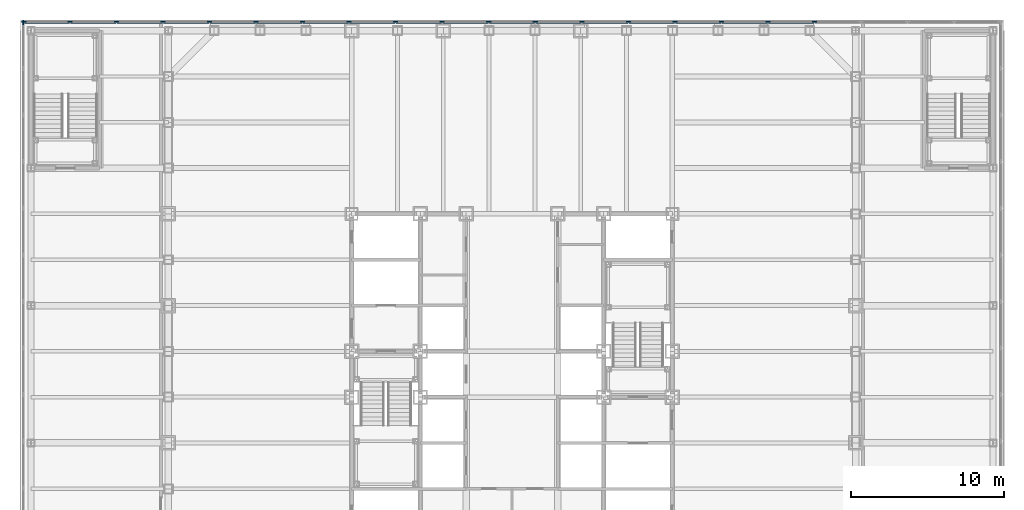
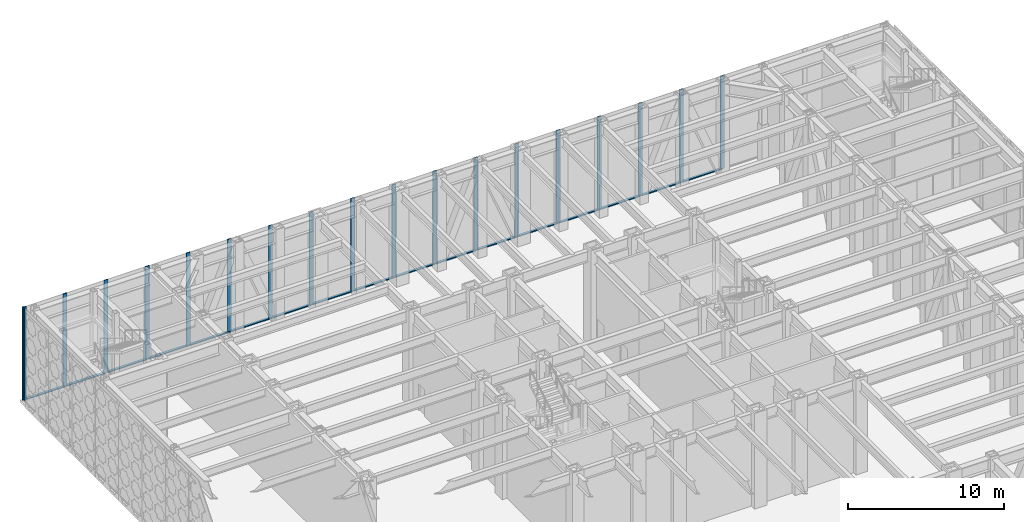
# One storey, part 11 of 34: 36 members, 2 elements without a shape of their own.
"""IFC4 building model written with IfcOpenShell, lengths in metres."""

import ifcopenshell
import ifcopenshell.guid

model = None  # the IFC model being written
_history = None  # IfcOwnerHistory: only IFC2X3 demands one
_inside = {}  # id of a spatial element -> (the spatial element, [elements in it])
_under = {}  # id of a project, library or spatial element -> (it, [spatial elements below it])
_declared = {}  # id of a project -> (the project, [libraries it declares])
_typed = {}  # id of a type object -> (the type object, [elements of that type])
_made_of = {}  # id of a material, layer set ... -> (it, [elements and type objects made of it])


def new_model(schema):
    """Start an empty IFC model of exactly this schema.

    Asked for "IFC4X3", IfcOpenShell would pick the latest addendum, in which some entities
    have other attributes; the version numbers below select the first issue.
    IFC2X3 requires an IfcOwnerHistory on every rooted entity: one is made here for all.
    """
    global model, _history
    if schema == "IFC4X3":
        model = ifcopenshell.file(schema_version=(4, 3, 0, 0))
    else:
        model = ifcopenshell.file(schema=schema)
    _inside.clear()
    _under.clear()
    _declared.clear()
    _typed.clear()
    _made_of.clear()
    _history = None
    if model.schema == "IFC2X3":
        org = make("IfcOrganization", Name="unknown")
        user = make(
            "IfcPersonAndOrganization",
            ThePerson=make("IfcPerson", FamilyName="unknown"),
            TheOrganization=org,
        )
        app = make(
            "IfcApplication",
            ApplicationDeveloper=org,
            Version="unknown",
            ApplicationFullName="unknown",
            ApplicationIdentifier="unknown",
        )
        _history = make(
            "IfcOwnerHistory",
            OwningUser=user,
            OwningApplication=app,
            ChangeAction="ADDED",
            CreationDate=0,
        )
    return model


def make(cls, **values):
    """One entity of the class cls with the attributes given. An attribute that is None is left unset."""
    return model.create_entity(
        cls, **{name: value for name, value in values.items() if value is not None}
    )


def rooted(cls, **values):
    """An entity with a GlobalId (a new one), such as an element, a storey or a relation."""
    return make(cls, GlobalId=ifcopenshell.guid.new(), OwnerHistory=_history, **values)


def si_unit(unit_type, name, prefix=None):
    """IfcSIUnit, for example si_unit("LENGTHUNIT", "METRE", prefix="MILLI")."""
    return make("IfcSIUnit", UnitType=unit_type, Prefix=prefix, Name=name)


def assignment(units):
    """IfcUnitAssignment: the units of a project."""
    return None if units is None else make("IfcUnitAssignment", Units=units)


def point(xyz):
    """IfcCartesianPoint."""
    return None if xyz is None else make("IfcCartesianPoint", Coordinates=xyz)


def direction(xyz):
    """IfcDirection."""
    return None if xyz is None else make("IfcDirection", DirectionRatios=xyz)


def frame(location, z_axis=None, x_axis=None):
    """IfcAxis2Placement3D, a coordinate frame: its origin and axes. An axis left out is left unset."""
    return make(
        "IfcAxis2Placement3D",
        Location=point(location),
        Axis=direction(z_axis),
        RefDirection=direction(x_axis),
    )


def frame_2d(location, x_axis=None):
    """IfcAxis2Placement2D, a coordinate frame in the plane: its origin and x axis."""
    return make(
        "IfcAxis2Placement2D", Location=point(location), RefDirection=direction(x_axis)
    )


def origin():
    """The frame at (0, 0, 0) with its axes left unset."""
    return frame((0.0, 0.0, 0.0))


def origin_2d():
    """The frame at (0, 0) in the plane with its x axis left unset."""
    return frame_2d((0.0, 0.0))


def place(relative_to, where):
    """IfcLocalPlacement: puts the frame where relative to a parent placement (None: the world)."""
    return make(
        "IfcLocalPlacement", PlacementRelTo=relative_to, RelativePlacement=where
    )


def context(
    kind, dimensions, precision=None, world=None, true_north=None, identifier=None
):
    """IfcGeometricRepresentationContext, for example the 3D "Model" context."""
    return make(
        "IfcGeometricRepresentationContext",
        ContextIdentifier=identifier,
        ContextType=kind,
        CoordinateSpaceDimension=dimensions,
        Precision=precision,
        WorldCoordinateSystem=world,
        TrueNorth=true_north,
    )


def subcontext(parent, identifier, kind, view, scale=None):
    """IfcGeometricRepresentationSubContext, for example "Body" below "Model"."""
    return make(
        "IfcGeometricRepresentationSubContext",
        ContextIdentifier=identifier,
        ContextType=kind,
        ParentContext=parent,
        TargetScale=scale,
        TargetView=view,
    )


def project(units=None, contexts=None):
    """IfcProject with its units and contexts."""
    return rooted(
        "IfcProject",
        Name="project",
        RepresentationContexts=contexts,
        UnitsInContext=assignment(units),
    )


def spatial(cls, under=None, at=None, **own):
    """A site, building, storey or space (cls), placed at a placement, below another one or the project."""
    s = rooted(cls, ObjectPlacement=at, **own)
    if under is not None:
        _under.setdefault(under.id(), (under, []))[1].append(s)
    return s


def profile(cls, at=None, kind="AREA", **sizes):
    """A parametric profile (cls). Its sizes go by their IFC names, for example OverallWidth=200.0."""
    return make(cls, ProfileType=kind, Position=at, **sizes)


def rectangle(**sizes):
    """IfcRectangleProfileDef."""
    return profile("IfcRectangleProfileDef", **sizes)


def extrude(swept, where, along, depth):
    """IfcExtrudedAreaSolid: the profile swept, set in the frame where, extruded along a direction by depth."""
    return make(
        "IfcExtrudedAreaSolid",
        SweptArea=swept,
        Position=where,
        ExtrudedDirection=direction(along),
        Depth=depth,
    )


def shape(context_of_items, identifier, shape_type, items):
    """IfcShapeRepresentation: the items that make up one representation, for example the "Body"."""
    return make(
        "IfcShapeRepresentation",
        ContextOfItems=context_of_items,
        RepresentationIdentifier=identifier,
        RepresentationType=shape_type,
        Items=items,
    )


def material(Name=None, Category=None):
    """IfcMaterial."""
    return make("IfcMaterial", Name=Name, Category=Category)


def layer(
    of_material, thickness, ventilated=None, Name=None, Category=None, Priority=None
):
    """IfcMaterialLayer: one layer of a wall or slab, of a material (None: an air gap)."""
    return make(
        "IfcMaterialLayer",
        Material=of_material,
        LayerThickness=thickness,
        IsVentilated=ventilated,
        Name=Name,
        Category=Category,
        Priority=Priority,
    )


def layer_set(layers, Name=None):
    """IfcMaterialLayerSet."""
    return make("IfcMaterialLayerSet", MaterialLayers=layers, LayerSetName=Name)


def material_profile(
    of_material, cross_section, Name=None, Category=None, Priority=None
):
    """IfcMaterialProfile: a cross section and its material."""
    return make(
        "IfcMaterialProfile",
        Name=Name,
        Material=of_material,
        Profile=cross_section,
        Priority=Priority,
        Category=Category,
    )


def profile_set(profiles, Name=None, composite=None):
    """IfcMaterialProfileSet."""
    return make(
        "IfcMaterialProfileSet",
        Name=Name,
        MaterialProfiles=profiles,
        CompositeProfile=composite,
    )


def made_of(thing, what):
    """Note that an element or type object is made of a material, layer set ...; save() writes the relation."""
    if what is not None:
        _made_of.setdefault(what.id(), (what, []))[1].append(thing)
    return thing


def type_object(cls, material=None, **own):
    """A type object (cls), such as IfcWallType, which elements share."""
    return made_of(rooted(cls, **own), material)


def element(
    cls,
    number,
    at=None,
    inside=None,
    cuts=None,
    type_object=None,
    material=None,
    context=None,
    identifier="Body",
    shape_type=None,
    held_by="IfcProductDefinitionShape",
    body=None,
    shapes=None,
    **own,
):
    """One element of the class cls, such as IfcWall. Its Tag is "e" and its number.

    at: its placement. inside: the storey or other place that contains it. cuts: it is an
    opening in that element (IfcRelVoidsElement). A single representation is given by context,
    identifier, shape_type and body (its items); several are given by shapes. held_by: the class
    of the entity that holds the representations. save() writes the other relations.
    """
    e = rooted(cls, Tag="e%d" % number, ObjectPlacement=at, **own)
    if body is not None:
        shapes = [shape(context, identifier, shape_type, body)]
    if shapes is not None:
        e.Representation = make(held_by, Representations=shapes)
    if inside is not None:
        _inside.setdefault(inside.id(), (inside, []))[1].append(e)
    if cuts is not None:
        rooted(
            "IfcRelVoidsElement", RelatingBuildingElement=cuts, RelatedOpeningElement=e
        )
    if type_object is not None:
        _typed.setdefault(type_object.id(), (type_object, []))[1].append(e)
    return made_of(e, material)


def aggregate(whole, parts):
    """IfcRelAggregates: a whole, such as a stair, and the parts it consists of."""
    return rooted("IfcRelAggregates", RelatingObject=whole, RelatedObjects=parts)


def save(model, path):
    """Write the relations noted so far, then the file.

    IfcRelAggregates (storeys below a building ...), IfcRelContainedInSpatialStructure (elements
    in a storey), IfcRelDefinesByType, IfcRelAssociatesMaterial and IfcRelDeclares: one each for
    every whole, place, type object, material and project.
    """
    for whole, parts in _under.values():
        aggregate(whole, parts)
    for where, things in _inside.values():
        rooted(
            "IfcRelContainedInSpatialStructure",
            RelatedElements=things,
            RelatingStructure=where,
        )
    for kind, things in _typed.values():
        rooted("IfcRelDefinesByType", RelatedObjects=things, RelatingType=kind)
    for what, things in _made_of.values():
        rooted("IfcRelAssociatesMaterial", RelatedObjects=things, RelatingMaterial=what)
    for by, libraries in _declared.values():
        rooted("IfcRelDeclares", RelatingContext=by, RelatedDefinitions=libraries)
    model.write(path)


model = new_model("IFC4")

# Units and contexts
model_context = context("Model", 3, precision=1e-05, world=origin(), true_north=direction((0.0, 1.0)))
body_context = subcontext(model_context, "Body", "Model", "MODEL_VIEW")
ifc_project = project(units=[si_unit("LENGTHUNIT", "METRE"), si_unit("AREAUNIT", "SQUARE_METRE"), si_unit("VOLUMEUNIT", "CUBIC_METRE"), si_unit("PLANEANGLEUNIT", "RADIAN"), si_unit("MASSUNIT", "GRAM", prefix="KILO")], contexts=[model_context])

# Site, building, storey
site_placement = place(None, origin())
site = spatial("IfcSite", under=ifc_project, at=site_placement, CompositionType="ELEMENT")
building_placement = place(site_placement, origin())
building = spatial("IfcBuilding", under=site, at=building_placement, Name="Chuquiago Exchange Tower", CompositionType="ELEMENT")
storey_placement = place(building_placement, frame((0.0, 0.0, 6.0)))
storey = spatial("IfcBuildingStorey", under=building, at=storey_placement, Name="L01", CompositionType="ELEMENT", Elevation=6.0)

# Curtain wall, members
ifc_material_1 = material(Name="Aluminium curtain wall system", Category="aluminium")
ifc_layer = layer(ifc_material_1, 0.300048828125)
ifc_layer_set = layer_set([ifc_layer], Name="CW4 podium curtain wall")
curtain_wall_type = type_object("IfcCurtainWallType", Name="CW4 podium curtain wall", PredefinedType="NOTDEFINED", material=ifc_layer_set)
curtain_wall_1_placement = place(storey_placement, origin())
curtain_wall_1 = element("IfcCurtainWall", 1, at=curtain_wall_1_placement, inside=storey, type_object=curtain_wall_type, Name="CW4 curtain wall L01", PredefinedType="NOTDEFINED")
ifc_material_2 = material(Name="Aluminium mullion, pale anodised", Category="aluminium")
ifc_material_profile_1 = material_profile(ifc_material_2, rectangle(XDim=0.074951171875, YDim=0.300048828125, at=origin_2d()), Name="AL 75x300")
ifc_profile_set_1 = profile_set([ifc_material_profile_1], Name="Aluminium mullion, pale anodised")
member_type_1 = type_object("IfcMemberType", Name="CW4-M mullion 75x300", PredefinedType="MULLION", material=ifc_profile_set_1)
member_1_placement = place(storey_placement, frame((42.3095703125, 45.574951171875, 0.0), z_axis=(0.0, 0.0, 1.0), x_axis=(0.0, -1.0, 0.0)))
member_1 = element("IfcMember", 2, at=member_1_placement, type_object=member_type_1, Name="CW4 mullion 5", PredefinedType="MULLION", context=body_context, shape_type="SweptSolid", body=[
    extrude(rectangle(XDim=0.074951171875, YDim=0.300048828125, at=origin_2d()), origin(), (0.0, 0.0, 1.0), 7.300048828125),
])
member_2_placement = place(storey_placement, frame((39.261962890625, 45.574951171875, 0.0), z_axis=(0.0, 0.0, 1.0), x_axis=(0.0, -1.0, 0.0)))
member_2 = element("IfcMember", 3, at=member_2_placement, type_object=member_type_1, Name="CW4 mullion 6", PredefinedType="MULLION", context=body_context, shape_type="SweptSolid", body=[
    extrude(rectangle(XDim=0.074951171875, YDim=0.300048828125, at=origin_2d()), origin(), (0.0, 0.0, 1.0), 7.300048828125),
])
member_3_placement = place(storey_placement, frame((36.21435546875, 45.574951171875, 0.0), z_axis=(0.0, 0.0, 1.0), x_axis=(0.0, -1.0, 0.0)))
member_3 = element("IfcMember", 4, at=member_3_placement, type_object=member_type_1, Name="CW4 mullion 7", PredefinedType="MULLION", context=body_context, shape_type="SweptSolid", body=[
    extrude(rectangle(XDim=0.074951171875, YDim=0.300048828125, at=origin_2d()), origin(), (0.0, 0.0, 1.0), 7.300048828125),
])
member_4_placement = place(storey_placement, frame((33.166748046875, 45.574951171875, 0.0), z_axis=(0.0, 0.0, 1.0), x_axis=(0.0, -1.0, 0.0)))
member_4 = element("IfcMember", 5, at=member_4_placement, type_object=member_type_1, Name="CW4 mullion 8", PredefinedType="MULLION", context=body_context, shape_type="SweptSolid", body=[
    extrude(rectangle(XDim=0.074951171875, YDim=0.300048828125, at=origin_2d()), origin(), (0.0, 0.0, 1.0), 7.300048828125),
])
member_5_placement = place(storey_placement, frame((30.119140625, 45.574951171875, 0.0), z_axis=(0.0, 0.0, 1.0), x_axis=(0.0, -1.0, 0.0)))
member_5 = element("IfcMember", 6, at=member_5_placement, type_object=member_type_1, Name="CW4 mullion 9", PredefinedType="MULLION", context=body_context, shape_type="SweptSolid", body=[
    extrude(rectangle(XDim=0.074951171875, YDim=0.300048828125, at=origin_2d()), origin(), (0.0, 0.0, 1.0), 7.300048828125),
])
member_6_placement = place(storey_placement, frame((27.071533203125, 45.574951171875, 0.0), z_axis=(0.0, 0.0, 1.0), x_axis=(0.0, -1.0, 0.0)))
member_6 = element("IfcMember", 7, at=member_6_placement, type_object=member_type_1, Name="CW4 mullion 10", PredefinedType="MULLION", context=body_context, shape_type="SweptSolid", body=[
    extrude(rectangle(XDim=0.074951171875, YDim=0.300048828125, at=origin_2d()), origin(), (0.0, 0.0, 1.0), 7.300048828125),
])
member_7_placement = place(storey_placement, frame((24.02392578125, 45.574951171875, 0.0), z_axis=(0.0, 0.0, 1.0), x_axis=(0.0, -1.0, 0.0)))
member_7 = element("IfcMember", 8, at=member_7_placement, type_object=member_type_1, Name="CW4 mullion 11", PredefinedType="MULLION", context=body_context, shape_type="SweptSolid", body=[
    extrude(rectangle(XDim=0.074951171875, YDim=0.300048828125, at=origin_2d()), origin(), (0.0, 0.0, 1.0), 7.300048828125),
])
member_8_placement = place(storey_placement, frame((20.97607421875, 45.574951171875, 0.0), z_axis=(0.0, 0.0, 1.0), x_axis=(0.0, -1.0, 0.0)))
member_8 = element("IfcMember", 9, at=member_8_placement, type_object=member_type_1, Name="CW4 mullion 12", PredefinedType="MULLION", context=body_context, shape_type="SweptSolid", body=[
    extrude(rectangle(XDim=0.074951171875, YDim=0.300048828125, at=origin_2d()), origin(), (0.0, 0.0, 1.0), 7.300048828125),
])
member_9_placement = place(storey_placement, frame((17.928466796875, 45.574951171875, 0.0), z_axis=(0.0, 0.0, 1.0), x_axis=(0.0, -1.0, 0.0)))
member_9 = element("IfcMember", 10, at=member_9_placement, type_object=member_type_1, Name="CW4 mullion 13", PredefinedType="MULLION", context=body_context, shape_type="SweptSolid", body=[
    extrude(rectangle(XDim=0.074951171875, YDim=0.300048828125, at=origin_2d()), origin(), (0.0, 0.0, 1.0), 7.300048828125),
])
member_10_placement = place(storey_placement, frame((14.880859375, 45.574951171875, 0.0), z_axis=(0.0, 0.0, 1.0), x_axis=(0.0, -1.0, 0.0)))
member_10 = element("IfcMember", 11, at=member_10_placement, type_object=member_type_1, Name="CW4 mullion 14", PredefinedType="MULLION", context=body_context, shape_type="SweptSolid", body=[
    extrude(rectangle(XDim=0.074951171875, YDim=0.300048828125, at=origin_2d()), origin(), (0.0, 0.0, 1.0), 7.300048828125),
])
member_11_placement = place(storey_placement, frame((11.833251953125, 45.574951171875, 0.0), z_axis=(0.0, 0.0, 1.0), x_axis=(0.0, -1.0, 0.0)))
member_11 = element("IfcMember", 12, at=member_11_placement, type_object=member_type_1, Name="CW4 mullion 15", PredefinedType="MULLION", context=body_context, shape_type="SweptSolid", body=[
    extrude(rectangle(XDim=0.074951171875, YDim=0.300048828125, at=origin_2d()), origin(), (0.0, 0.0, 1.0), 7.300048828125),
])
member_12_placement = place(storey_placement, frame((8.78564453125, 45.574951171875, 0.0), z_axis=(0.0, 0.0, 1.0), x_axis=(0.0, -1.0, 0.0)))
member_12 = element("IfcMember", 13, at=member_12_placement, type_object=member_type_1, Name="CW4 mullion 16", PredefinedType="MULLION", context=body_context, shape_type="SweptSolid", body=[
    extrude(rectangle(XDim=0.074951171875, YDim=0.300048828125, at=origin_2d()), origin(), (0.0, 0.0, 1.0), 7.300048828125),
])
member_13_placement = place(storey_placement, frame((5.738037109375, 45.574951171875, 0.0), z_axis=(0.0, 0.0, 1.0), x_axis=(0.0, -1.0, 0.0)))
member_13 = element("IfcMember", 14, at=member_13_placement, type_object=member_type_1, Name="CW4 mullion 17", PredefinedType="MULLION", context=body_context, shape_type="SweptSolid", body=[
    extrude(rectangle(XDim=0.074951171875, YDim=0.300048828125, at=origin_2d()), origin(), (0.0, 0.0, 1.0), 7.300048828125),
])
member_14_placement = place(storey_placement, frame((2.6904296875, 45.574951171875, 0.0), z_axis=(0.0, 0.0, 1.0), x_axis=(0.0, -1.0, 0.0)))
member_14 = element("IfcMember", 15, at=member_14_placement, type_object=member_type_1, Name="CW4 mullion 18", PredefinedType="MULLION", context=body_context, shape_type="SweptSolid", body=[
    extrude(rectangle(XDim=0.074951171875, YDim=0.300048828125, at=origin_2d()), origin(), (0.0, 0.0, 1.0), 7.300048828125),
])
member_15_placement = place(storey_placement, frame((-0.357177734375, 45.574951171875, 0.0), z_axis=(0.0, 0.0, 1.0), x_axis=(0.0, -1.0, 0.0)))
member_15 = element("IfcMember", 16, at=member_15_placement, type_object=member_type_1, Name="CW4 mullion 19", PredefinedType="MULLION", context=body_context, shape_type="SweptSolid", body=[
    extrude(rectangle(XDim=0.074951171875, YDim=0.300048828125, at=origin_2d()), origin(), (0.0, 0.0, 1.0), 7.300048828125),
])
member_16_placement = place(storey_placement, frame((-3.40478515625, 45.574951171875, 0.0), z_axis=(0.0, 0.0, 1.0), x_axis=(0.0, -1.0, 0.0)))
member_16 = element("IfcMember", 17, at=member_16_placement, type_object=member_type_1, Name="CW4 mullion 20", PredefinedType="MULLION", context=body_context, shape_type="SweptSolid", body=[
    extrude(rectangle(XDim=0.074951171875, YDim=0.300048828125, at=origin_2d()), origin(), (0.0, 0.0, 1.0), 7.300048828125),
])
member_17_placement = place(storey_placement, frame((-6.452392578125, 45.574951171875, 0.0), z_axis=(0.0, 0.0, 1.0), x_axis=(0.0, -1.0, 0.0)))
member_17 = element("IfcMember", 18, at=member_17_placement, type_object=member_type_1, Name="CW4 mullion 21", PredefinedType="MULLION", context=body_context, shape_type="SweptSolid", body=[
    extrude(rectangle(XDim=0.074951171875, YDim=0.300048828125, at=origin_2d()), origin(), (0.0, 0.0, 1.0), 7.300048828125),
])
member_18_placement = place(storey_placement, frame((-9.46240234375, 45.574951171875, 0.0), z_axis=(0.0, 0.0, 1.0), x_axis=(0.0, -1.0, 0.0)))
member_18 = element("IfcMember", 19, at=member_18_placement, type_object=member_type_1, Name="CW4 mullion 22", PredefinedType="MULLION", context=body_context, shape_type="SweptSolid", body=[
    extrude(rectangle(XDim=0.074951171875, YDim=0.300048828125, at=origin_2d()), origin(), (0.0, 0.0, 1.0), 7.300048828125),
])

# Curtain wall, member
curtain_wall_2_placement = place(storey_placement, origin())
curtain_wall_2 = element("IfcCurtainWall", 20, at=curtain_wall_2_placement, inside=storey, type_object=curtain_wall_type, Name="CW4 curtain wall L01", PredefinedType="NOTDEFINED")
member_19_placement = place(storey_placement, frame((-9.5, 45.53759765625, 0.0), z_axis=(0.0, 0.0, 1.0), x_axis=(1.0, 0.0, 0.0)))
member_19 = element("IfcMember", 21, at=member_19_placement, type_object=member_type_1, Name="CW4 mullion 1", PredefinedType="MULLION", context=body_context, shape_type="SweptSolid", body=[
    extrude(rectangle(XDim=0.074951171875, YDim=0.300048828125, at=origin_2d()), origin(), (0.0, 0.0, 1.0), 7.300048828125),
])
aggregate(curtain_wall_2, [member_19])

# Member
ifc_material_3 = material(Name="Aluminium transom, pale anodised", Category="aluminium")
ifc_material_profile_2 = material_profile(ifc_material_3, rectangle(XDim=0.179931640625, YDim=0.074951171875, at=origin_2d()), Name="AL 180x75")
ifc_profile_set_2 = profile_set([ifc_material_profile_2], Name="Aluminium transom, pale anodised")
member_type_2 = type_object("IfcMemberType", Name="CW4-T transom 75x180", PredefinedType="MULLION", material=ifc_profile_set_2)
member_20_placement = place(storey_placement, frame((42.27197265625, 45.574951171875, 0.03759765625), z_axis=(-1.0, 0.0, 0.0), x_axis=(0.0, -1.0, 0.0)))
member_20 = element("IfcMember", 22, at=member_20_placement, type_object=member_type_2, Name="CW4 transom 5.1", PredefinedType="MULLION", context=body_context, shape_type="SweptSolid", body=[
    extrude(rectangle(XDim=0.179931640625, YDim=0.074951171875, at=origin_2d()), origin(), (0.0, 0.0, 1.0), 2.97265625),
])

member_21_placement = place(storey_placement, frame((39.224365234375, 45.574951171875, 0.03759765625), z_axis=(-1.0, 0.0, 0.0), x_axis=(0.0, -1.0, 0.0)))
member_21 = element("IfcMember", 23, at=member_21_placement, type_object=member_type_2, Name="CW4 transom 6.1", PredefinedType="MULLION", context=body_context, shape_type="SweptSolid", body=[
    extrude(rectangle(XDim=0.179931640625, YDim=0.074951171875, at=origin_2d()), origin(), (0.0, 0.0, 1.0), 2.97265625),
])

member_22_placement = place(storey_placement, frame((36.1767578125, 45.574951171875, 0.03759765625), z_axis=(-1.0, 0.0, 0.0), x_axis=(0.0, -1.0, 0.0)))
member_22 = element("IfcMember", 24, at=member_22_placement, type_object=member_type_2, Name="CW4 transom 7.1", PredefinedType="MULLION", context=body_context, shape_type="SweptSolid", body=[
    extrude(rectangle(XDim=0.179931640625, YDim=0.074951171875, at=origin_2d()), origin(), (0.0, 0.0, 1.0), 2.97265625),
])

member_23_placement = place(storey_placement, frame((33.129150390625, 45.574951171875, 0.03759765625), z_axis=(-1.0, 0.0, 0.0), x_axis=(0.0, -1.0, 0.0)))
member_23 = element("IfcMember", 25, at=member_23_placement, type_object=member_type_2, Name="CW4 transom 8.1", PredefinedType="MULLION", context=body_context, shape_type="SweptSolid", body=[
    extrude(rectangle(XDim=0.179931640625, YDim=0.074951171875, at=origin_2d()), origin(), (0.0, 0.0, 1.0), 2.97265625),
])

member_24_placement = place(storey_placement, frame((30.08154296875, 45.574951171875, 0.03759765625), z_axis=(-1.0, 0.0, 0.0), x_axis=(0.0, -1.0, 0.0)))
member_24 = element("IfcMember", 26, at=member_24_placement, type_object=member_type_2, Name="CW4 transom 9.1", PredefinedType="MULLION", context=body_context, shape_type="SweptSolid", body=[
    extrude(rectangle(XDim=0.179931640625, YDim=0.074951171875, at=origin_2d()), origin(), (0.0, 0.0, 1.0), 2.97265625),
])

member_25_placement = place(storey_placement, frame((27.033935546875, 45.574951171875, 0.03759765625), z_axis=(-1.0, 0.0, 0.0), x_axis=(0.0, -1.0, 0.0)))
member_25 = element("IfcMember", 27, at=member_25_placement, type_object=member_type_2, Name="CW4 transom 10.1", PredefinedType="MULLION", context=body_context, shape_type="SweptSolid", body=[
    extrude(rectangle(XDim=0.179931640625, YDim=0.074951171875, at=origin_2d()), origin(), (0.0, 0.0, 1.0), 2.97265625),
])

member_26_placement = place(storey_placement, frame((23.986328125, 45.574951171875, 0.03759765625), z_axis=(-1.0, 0.0, 0.0), x_axis=(0.0, -1.0, 0.0)))
member_26 = element("IfcMember", 28, at=member_26_placement, type_object=member_type_2, Name="CW4 transom 11.1", PredefinedType="MULLION", context=body_context, shape_type="SweptSolid", body=[
    extrude(rectangle(XDim=0.179931640625, YDim=0.074951171875, at=origin_2d()), origin(), (0.0, 0.0, 1.0), 2.97265625),
])

member_27_placement = place(storey_placement, frame((20.938720703125, 45.574951171875, 0.03759765625), z_axis=(-1.0, 0.0, 0.0), x_axis=(0.0, -1.0, 0.0)))
member_27 = element("IfcMember", 29, at=member_27_placement, type_object=member_type_2, Name="CW4 transom 12.1", PredefinedType="MULLION", context=body_context, shape_type="SweptSolid", body=[
    extrude(rectangle(XDim=0.179931640625, YDim=0.074951171875, at=origin_2d()), origin(), (0.0, 0.0, 1.0), 2.97265625),
])

member_28_placement = place(storey_placement, frame((17.89111328125, 45.574951171875, 0.03759765625), z_axis=(-1.0, 0.0, 0.0), x_axis=(0.0, -1.0, 0.0)))
member_28 = element("IfcMember", 30, at=member_28_placement, type_object=member_type_2, Name="CW4 transom 13.1", PredefinedType="MULLION", context=body_context, shape_type="SweptSolid", body=[
    extrude(rectangle(XDim=0.179931640625, YDim=0.074951171875, at=origin_2d()), origin(), (0.0, 0.0, 1.0), 2.97265625),
])

member_29_placement = place(storey_placement, frame((14.843505859375, 45.574951171875, 0.03759765625), z_axis=(-1.0, 0.0, 0.0), x_axis=(0.0, -1.0, 0.0)))
member_29 = element("IfcMember", 31, at=member_29_placement, type_object=member_type_2, Name="CW4 transom 14.1", PredefinedType="MULLION", context=body_context, shape_type="SweptSolid", body=[
    extrude(rectangle(XDim=0.179931640625, YDim=0.074951171875, at=origin_2d()), origin(), (0.0, 0.0, 1.0), 2.97265625),
])

member_30_placement = place(storey_placement, frame((11.7958984375, 45.574951171875, 0.03759765625), z_axis=(-1.0, 0.0, 0.0), x_axis=(0.0, -1.0, 0.0)))
member_30 = element("IfcMember", 32, at=member_30_placement, type_object=member_type_2, Name="CW4 transom 15.1", PredefinedType="MULLION", context=body_context, shape_type="SweptSolid", body=[
    extrude(rectangle(XDim=0.179931640625, YDim=0.074951171875, at=origin_2d()), origin(), (0.0, 0.0, 1.0), 2.97265625),
])

member_31_placement = place(storey_placement, frame((8.748291015625, 45.574951171875, 0.03759765625), z_axis=(-1.0, 0.0, 0.0), x_axis=(0.0, -1.0, 0.0)))
member_31 = element("IfcMember", 33, at=member_31_placement, type_object=member_type_2, Name="CW4 transom 16.1", PredefinedType="MULLION", context=body_context, shape_type="SweptSolid", body=[
    extrude(rectangle(XDim=0.179931640625, YDim=0.074951171875, at=origin_2d()), origin(), (0.0, 0.0, 1.0), 2.97265625),
])

member_32_placement = place(storey_placement, frame((5.70068359375, 45.574951171875, 0.03759765625), z_axis=(-1.0, 0.0, 0.0), x_axis=(0.0, -1.0, 0.0)))
member_32 = element("IfcMember", 34, at=member_32_placement, type_object=member_type_2, Name="CW4 transom 17.1", PredefinedType="MULLION", context=body_context, shape_type="SweptSolid", body=[
    extrude(rectangle(XDim=0.179931640625, YDim=0.074951171875, at=origin_2d()), origin(), (0.0, 0.0, 1.0), 2.97265625),
])

member_33_placement = place(storey_placement, frame((2.653076171875, 45.574951171875, 0.03759765625), z_axis=(-1.0, 0.0, 0.0), x_axis=(0.0, -1.0, 0.0)))
member_33 = element("IfcMember", 35, at=member_33_placement, type_object=member_type_2, Name="CW4 transom 18.1", PredefinedType="MULLION", context=body_context, shape_type="SweptSolid", body=[
    extrude(rectangle(XDim=0.179931640625, YDim=0.074951171875, at=origin_2d()), origin(), (0.0, 0.0, 1.0), 2.97265625),
])

member_34_placement = place(storey_placement, frame((-0.39453125, 45.574951171875, 0.03759765625), z_axis=(-1.0, 0.0, 0.0), x_axis=(0.0, -1.0, 0.0)))
member_34 = element("IfcMember", 36, at=member_34_placement, type_object=member_type_2, Name="CW4 transom 19.1", PredefinedType="MULLION", context=body_context, shape_type="SweptSolid", body=[
    extrude(rectangle(XDim=0.179931640625, YDim=0.074951171875, at=origin_2d()), origin(), (0.0, 0.0, 1.0), 2.97265625),
])

member_35_placement = place(storey_placement, frame((-3.4423828125, 45.574951171875, 0.03759765625), z_axis=(-1.0, 0.0, 0.0), x_axis=(0.0, -1.0, 0.0)))
member_35 = element("IfcMember", 37, at=member_35_placement, type_object=member_type_2, Name="CW4 transom 20.1", PredefinedType="MULLION", context=body_context, shape_type="SweptSolid", body=[
    extrude(rectangle(XDim=0.179931640625, YDim=0.074951171875, at=origin_2d()), origin(), (0.0, 0.0, 1.0), 2.972412109375),
])

member_36_placement = place(storey_placement, frame((-6.489990234375, 45.574951171875, 0.03759765625), z_axis=(-1.0, 0.0, 0.0), x_axis=(0.0, -1.0, 0.0)))
member_36 = element("IfcMember", 38, at=member_36_placement, type_object=member_type_2, Name="CW4 transom 21.1", PredefinedType="MULLION", context=body_context, shape_type="SweptSolid", body=[
    extrude(rectangle(XDim=0.179931640625, YDim=0.074951171875, at=origin_2d()), origin(), (0.0, 0.0, 1.0), 2.93505859375),
])

aggregate(curtain_wall_1, [member_1, member_2, member_3, member_4, member_5, member_6, member_7, member_8, member_9, member_10, member_11, member_12, member_13, member_14, member_15, member_16, member_17, member_18, member_20, member_21, member_22, member_23, member_24, member_25, member_26, member_27, member_28, member_29, member_30, member_31, member_32, member_33, member_34, member_35, member_36])

save(model, "model.ifc")
